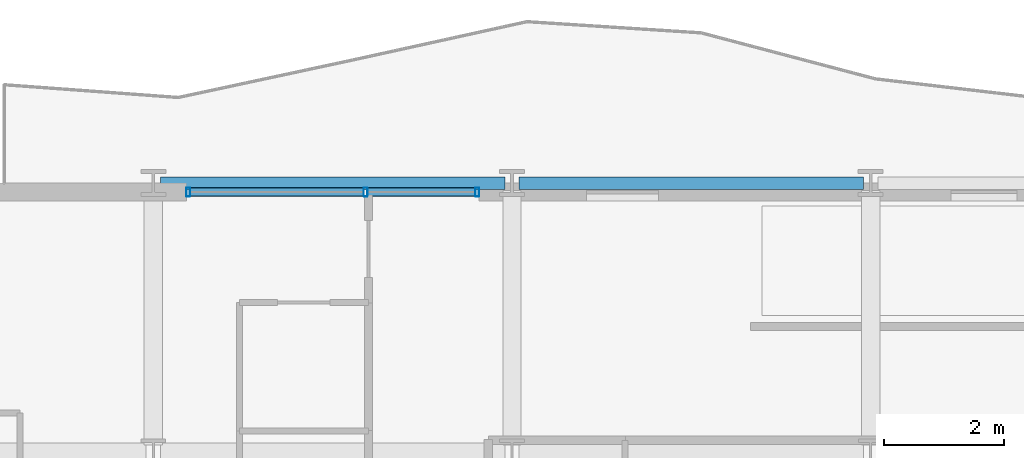
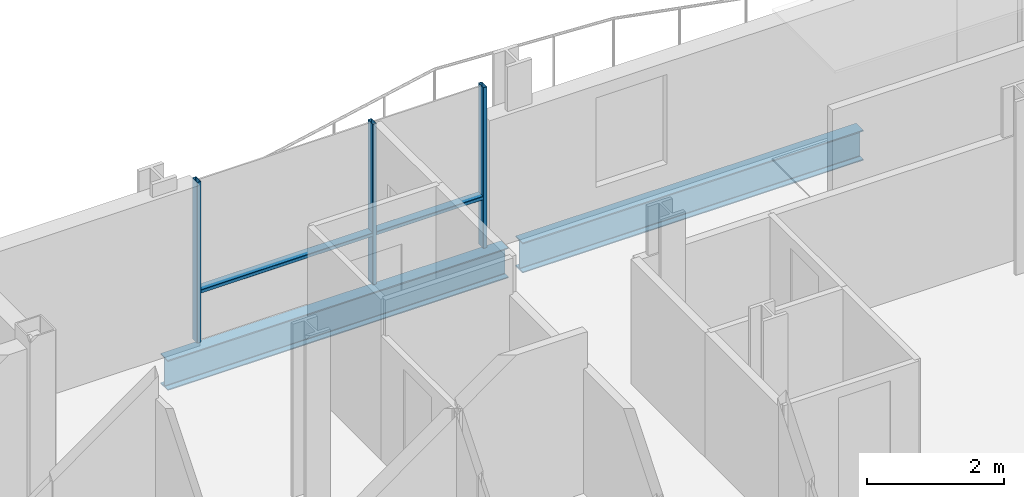
# One storey, part 21 of 41: 5 members, 2 beams, 1 element without a shape of its own.
"""IFC4 building model written with IfcOpenShell, lengths in metres."""

from ifc_helpers import new_model, si_unit, direction, frame, origin, origin_2d, place, context, subcontext, project, spatial, hollow_rectangle, i_section, extrude, material, layer, layer_set, material_profile, profile_set, type_object, element, aggregate, save


model = new_model("IFC4")

# Units and contexts
model_context = context("Model", 3, precision=1e-05, world=origin(), true_north=direction((0.0, 1.0)))
body_context = subcontext(model_context, "Body", "Model", "MODEL_VIEW")
ifc_project = project(units=[si_unit("LENGTHUNIT", "METRE"), si_unit("AREAUNIT", "SQUARE_METRE"), si_unit("VOLUMEUNIT", "CUBIC_METRE"), si_unit("PLANEANGLEUNIT", "RADIAN"), si_unit("MASSUNIT", "GRAM", prefix="KILO")], contexts=[model_context])

# Site, building, storey
site_placement = place(None, origin())
site = spatial("IfcSite", under=ifc_project, at=site_placement, CompositionType="ELEMENT")
building_placement = place(site_placement, origin())
building = spatial("IfcBuilding", under=site, at=building_placement, Name="Brevholm Reach", CompositionType="ELEMENT")
storey_placement = place(building_placement, frame((0.0, 0.0, 86.89990234375)))
storey = spatial("IfcBuildingStorey", under=building, at=storey_placement, Name="L25", CompositionType="ELEMENT", Elevation=86.89990234375)

# Beams
ifc_material_1 = material(Name="Structural Steel S355J2", Category="steel")
ifc_material_profile_1 = material_profile(ifc_material_1, i_section(OverallWidth=0.210693359375, OverallDepth=0.53955078125, WebThickness=0.01171875, FlangeThickness=0.018798828125, FilletRadius=0.0126953125, at=origin_2d()), Name="UKB 533x210x109")
ifc_profile_set_1 = profile_set([ifc_material_profile_1], Name="Structural Steel S355J2")
beam_type = type_object("IfcBeamType", Name="BM-SP539", PredefinedType="SPANDREL", material=ifc_profile_set_1)
for number, where, z_axis, x_axis, name in (
    (1, (6.1201171875, 31.0, -0.499755859375), (1.0, 0.0, 0.0), (0.0, 1.0, 0.0), "L25 SP-01B Framing Beam"),
    (2, (12.1201171875, 31.0, -0.499755859375), (1.0, 0.0, 0.0), (0.0, 1.0, 0.0), "L25 SP-01B Framing Beam"),
):
    element("IfcBeam", number, at=place(storey_placement, frame(where, z_axis=z_axis, x_axis=x_axis)), inside=storey, type_object=beam_type, Name=name, PredefinedType="SPANDREL", context=body_context, shape_type="SweptSolid", body=[
        extrude(i_section(OverallWidth=0.210693359375, OverallDepth=0.53955078125, WebThickness=0.01171875, FlangeThickness=0.018798828125, FilletRadius=0.0126953125, at=origin_2d()), origin(), (0.0, 0.0, 1.0), 5.759765625),
    ])

# Curtain wall, members
ifc_material_2 = material(Name="Dark Anodised Aluminium 6063-T6 and Solar-Control Glass", Category="aluminium")
ifc_layer = layer(ifc_material_2, 0.14990234375)
ifc_layer_set = layer_set([ifc_layer], Name="Dark Anodised Aluminium 6063-T6 and Solar-Control Glass")
curtain_wall_type = type_object("IfcCurtainWallType", Name="CW-01", PredefinedType="NOTDEFINED", material=ifc_layer_set)
curtain_wall_placement = place(storey_placement, origin())
curtain_wall = element("IfcCurtainWall", 3, at=curtain_wall_placement, inside=storey, type_object=curtain_wall_type, Name="L25 Curtain Wall CW-01", PredefinedType="NOTDEFINED")
ifc_material_3 = material(Name="Dark Anodised Aluminium 6063-T6", Category="aluminium")
ifc_material_profile_2 = material_profile(ifc_material_3, hollow_rectangle(XDim=0.06494140625, YDim=0.14990234375, WallThickness=0.0048828125, InnerFilletRadius=0.0048828125, OuterFilletRadius=0.010009765625, at=origin_2d()), Name="RHS 150x65x5")
ifc_profile_set_2 = profile_set([ifc_material_profile_2], Name="Dark Anodised Aluminium 6063-T6")
member_type_1 = type_object("IfcMemberType", Name="CWM-150", PredefinedType="MULLION", material=ifc_profile_set_2)
member_1_placement = place(storey_placement, frame((6.58251953125, 30.85009765625, 0.0), z_axis=(0.0, 0.0, 1.0), x_axis=(1.0, 0.0, 0.0)))
member_1 = element("IfcMember", 4, at=member_1_placement, type_object=member_type_1, Name="CM-150 Mullion 1", PredefinedType="MULLION", context=body_context, shape_type="SweptSolid", body=[
    extrude(hollow_rectangle(XDim=0.06494140625, YDim=0.14990234375, WallThickness=0.0048828125, InnerFilletRadius=0.0048828125, OuterFilletRadius=0.010009765625, at=origin_2d()), origin(), (0.0, 0.0, 1.0), 2.8701171875),
])
member_2_placement = place(storey_placement, frame((9.550048828125, 30.85009765625, 0.0), z_axis=(0.0, 0.0, 1.0), x_axis=(1.0, 0.0, 0.0)))
member_2 = element("IfcMember", 5, at=member_2_placement, type_object=member_type_1, Name="CM-150 Mullion 2", PredefinedType="MULLION", context=body_context, shape_type="SweptSolid", body=[
    extrude(hollow_rectangle(XDim=0.06494140625, YDim=0.14990234375, WallThickness=0.0048828125, InnerFilletRadius=0.0048828125, OuterFilletRadius=0.010009765625, at=origin_2d()), origin(), (0.0, 0.0, 1.0), 2.8701171875),
])
member_3_placement = place(storey_placement, frame((11.41748046875, 30.85009765625, 0.0), z_axis=(0.0, 0.0, 1.0), x_axis=(1.0, 0.0, 0.0)))
member_3 = element("IfcMember", 6, at=member_3_placement, type_object=member_type_1, Name="CM-150 Mullion 3", PredefinedType="MULLION", context=body_context, shape_type="SweptSolid", body=[
    extrude(hollow_rectangle(XDim=0.06494140625, YDim=0.14990234375, WallThickness=0.0048828125, InnerFilletRadius=0.0048828125, OuterFilletRadius=0.010009765625, at=origin_2d()), origin(), (0.0, 0.0, 1.0), 2.8701171875),
])
ifc_material_4 = material(Name="Dark Anodised Aluminium 6063-T6", Category="aluminium")
ifc_material_profile_3 = material_profile(ifc_material_4, hollow_rectangle(XDim=0.06494140625, YDim=0.14990234375, WallThickness=0.0048828125, InnerFilletRadius=0.0048828125, OuterFilletRadius=0.010009765625, at=origin_2d()), Name="RHS 150x65x5")
ifc_profile_set_3 = profile_set([ifc_material_profile_3], Name="Dark Anodised Aluminium 6063-T6")
member_type_2 = type_object("IfcMemberType", Name="CWT-150", PredefinedType="NOTDEFINED", material=ifc_profile_set_3)
member_4_placement = place(storey_placement, frame((6.614990234375, 30.85009765625, 0.900146484375), z_axis=(1.0, 0.0, 0.0), x_axis=(0.0, 0.0, 1.0)))
member_4 = element("IfcMember", 7, at=member_4_placement, type_object=member_type_2, Name="CT-150 Transom 1.1", ObjectType="TRANSOM", PredefinedType="USERDEFINED", context=body_context, shape_type="SweptSolid", body=[
    extrude(hollow_rectangle(XDim=0.06494140625, YDim=0.14990234375, WallThickness=0.0048828125, InnerFilletRadius=0.0048828125, OuterFilletRadius=0.010009765625, at=origin_2d()), origin(), (0.0, 0.0, 1.0), 2.902587890625),
])
member_5_placement = place(storey_placement, frame((9.58251953125, 30.85009765625, 0.900146484375), z_axis=(1.0, 0.0, 0.0), x_axis=(0.0, 0.0, 1.0)))
member_5 = element("IfcMember", 8, at=member_5_placement, type_object=member_type_2, Name="CT-150 Transom 2.1", ObjectType="TRANSOM", PredefinedType="USERDEFINED", context=body_context, shape_type="SweptSolid", body=[
    extrude(hollow_rectangle(XDim=0.06494140625, YDim=0.14990234375, WallThickness=0.0048828125, InnerFilletRadius=0.0048828125, OuterFilletRadius=0.010009765625, at=origin_2d()), origin(), (0.0, 0.0, 1.0), 1.802490234375),
])
aggregate(curtain_wall, [member_1, member_2, member_3, member_4, member_5])

save(model, "model.ifc")
